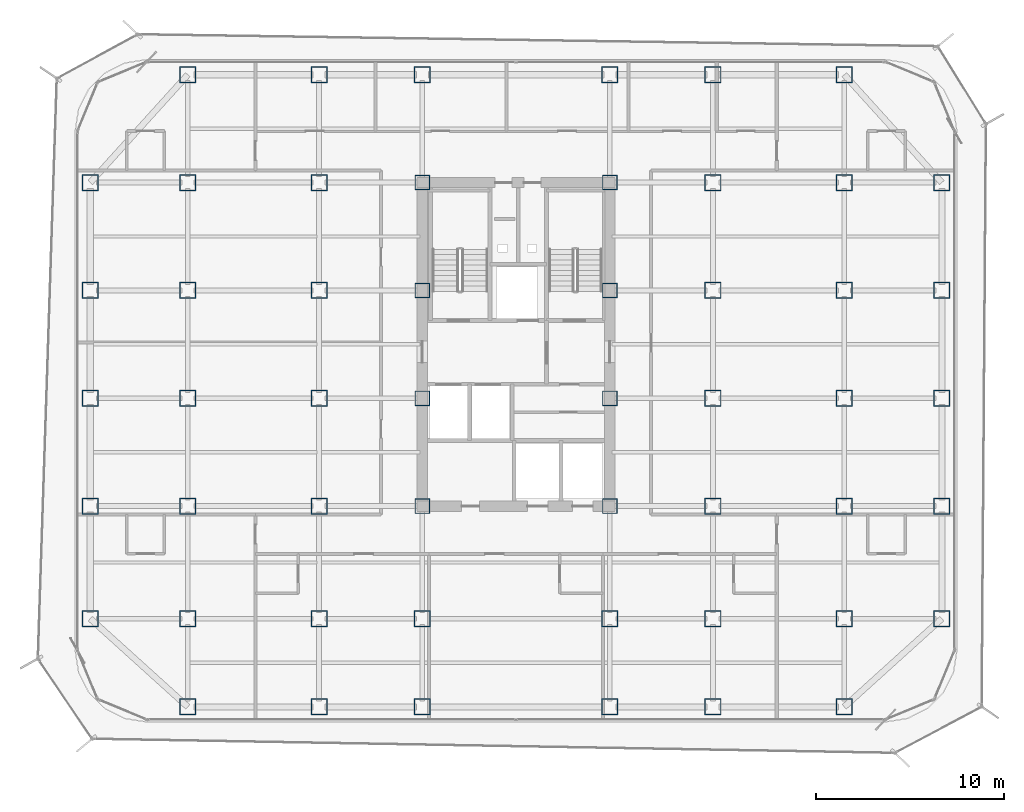
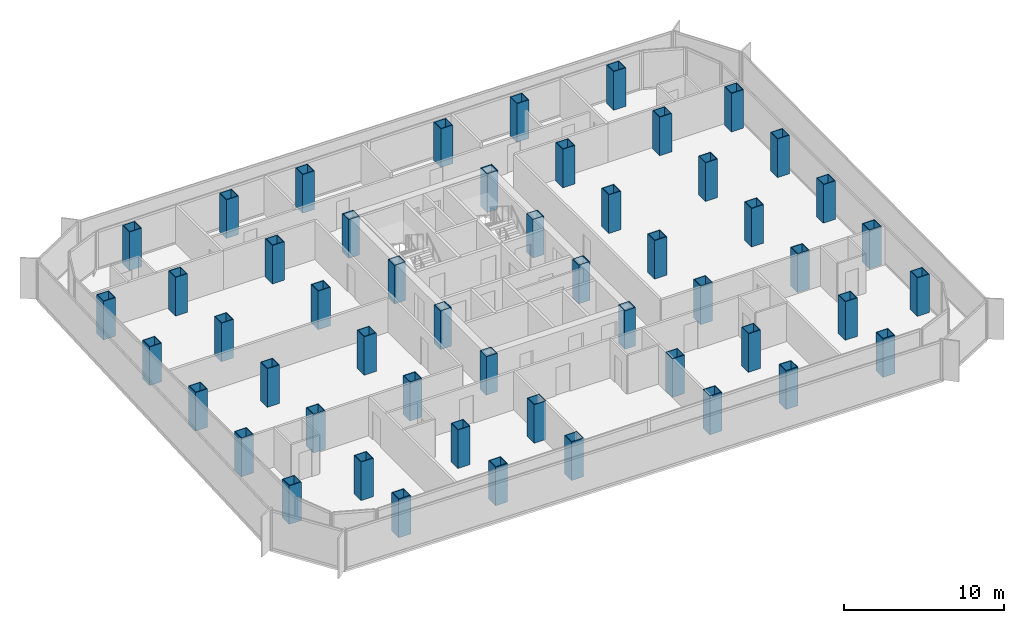
# One storey, part 1 of 21: 52 columns.
"""IFC4 building model written with IfcOpenShell, lengths in metres."""

from ifc_helpers import new_model, si_unit, direction, frame, origin, origin_2d, place, context, subcontext, project, spatial, hollow_rectangle, extrude, source, transform, mapped, material, material_profile, profile_set, type_object, element, save


model = new_model("IFC4")

# Units and contexts
model_context = context("Model", 3, precision=1e-05, world=origin(), true_north=direction((0.0, 1.0)))
body_context = subcontext(model_context, "Body", "Model", "MODEL_VIEW")
ifc_project = project(units=[si_unit("LENGTHUNIT", "METRE"), si_unit("AREAUNIT", "SQUARE_METRE"), si_unit("VOLUMEUNIT", "CUBIC_METRE"), si_unit("PLANEANGLEUNIT", "RADIAN"), si_unit("MASSUNIT", "GRAM", prefix="KILO")], contexts=[model_context])

# Site, building, storey
site_placement = place(None, origin())
site = spatial("IfcSite", under=ifc_project, at=site_placement, CompositionType="ELEMENT")
building_placement = place(site_placement, origin())
building = spatial("IfcBuilding", under=site, at=building_placement, Name="Kolveth Station Tower", CompositionType="ELEMENT")
storey_placement = place(building_placement, frame((0.0, 0.0, 127.89990234375)))
storey = spatial("IfcBuildingStorey", under=building, at=storey_placement, Name="L35", CompositionType="ELEMENT", Elevation=127.89990234375)

# Columns
ifc_material_1 = material(Name="Steel S460", Category="steel")
ifc_material_profile_1 = material_profile(ifc_material_1, hollow_rectangle(XDim=0.8798828125, YDim=0.8798828125, WallThickness=0.050048828125, at=origin_2d()), Name="BOX880x880x50")
ifc_profile_set_1 = profile_set([ifc_material_profile_1], Name="Steel S460")
column_type_1 = type_object("IfcColumnType", Name="Col_C4", PredefinedType="COLUMN", material=ifc_profile_set_1)
shared_shape_1 = source(origin(), body_context, "Body", "SweptSolid", [
    extrude(hollow_rectangle(XDim=0.8798828125, YDim=0.8798828125, WallThickness=0.050048828125, at=origin_2d()), origin(), (0.0, 0.0, 1.0), 2.9501953125),
])
for number, where, z_axis, x_axis, name in (
    (1, (6.0, 0.800048828125, 0.0), (0.0, 0.0, 1.0), (1.0, 0.0, 0.0), "L35 Tower Column S-X60"),
    (2, (6.0, 34.5, 0.0), (0.0, 0.0, 1.0), (1.0, 0.0, 0.0), "L35 Tower Column N-X60"),
    (3, (13.0, 0.800048828125, 0.0), (0.0, 0.0, 1.0), (1.0, 0.0, 0.0), "L35 Tower Column S-X130"),
    (4, (13.0, 34.5, 0.0), (0.0, 0.0, 1.0), (1.0, 0.0, 0.0), "L35 Tower Column N-X130"),
    (5, (18.5, 0.800048828125, 0.0), (0.0, 0.0, 1.0), (1.0, 0.0, 0.0), "L35 Tower Column S-X185"),
    (6, (18.5, 34.5, 0.0), (0.0, 0.0, 1.0), (1.0, 0.0, 0.0), "L35 Tower Column N-X185"),
    (7, (28.5, 0.800048828125, 0.0), (0.0, 0.0, 1.0), (1.0, 0.0, 0.0), "L35 Tower Column S-X285"),
    (8, (28.5, 34.5, 0.0), (0.0, 0.0, 1.0), (1.0, 0.0, 0.0), "L35 Tower Column N-X285"),
    (9, (34.0, 0.800048828125, 0.0), (0.0, 0.0, 1.0), (1.0, 0.0, 0.0), "L35 Tower Column S-X340"),
    (10, (34.0, 34.5, 0.0), (0.0, 0.0, 1.0), (1.0, 0.0, 0.0), "L35 Tower Column N-X340"),
    (11, (41.0, 0.800048828125, 0.0), (0.0, 0.0, 1.0), (1.0, 0.0, 0.0), "L35 Tower Column S-X410"),
    (12, (41.0, 34.5, 0.0), (0.0, 0.0, 1.0), (1.0, 0.0, 0.0), "L35 Tower Column N-X410"),
    (13, (0.800048828125, 5.5, 0.0), (0.0, 0.0, 1.0), (1.0, 0.0, 0.0), "L35 Tower Column W-Y55"),
    (14, (46.199951171875, 5.5, 0.0), (0.0, 0.0, 1.0), (1.0, 0.0, 0.0), "L35 Tower Column E-Y55"),
    (15, (0.800048828125, 11.5, 0.0), (0.0, 0.0, 1.0), (1.0, 0.0, 0.0), "L35 Tower Column W-Y115"),
    (16, (46.199951171875, 11.5, 0.0), (0.0, 0.0, 1.0), (1.0, 0.0, 0.0), "L35 Tower Column E-Y115"),
    (17, (0.800048828125, 17.25, 0.0), (0.0, 0.0, 1.0), (1.0, 0.0, 0.0), "L35 Tower Column W-Y172"),
    (18, (46.199951171875, 17.25, 0.0), (0.0, 0.0, 1.0), (1.0, 0.0, 0.0), "L35 Tower Column E-Y172"),
    (19, (0.800048828125, 23.0, 0.0), (0.0, 0.0, 1.0), (1.0, 0.0, 0.0), "L35 Tower Column W-Y230"),
    (20, (46.199951171875, 23.0, 0.0), (0.0, 0.0, 1.0), (1.0, 0.0, 0.0), "L35 Tower Column E-Y230"),
    (21, (0.800048828125, 28.75, 0.0), (0.0, 0.0, 1.0), (1.0, 0.0, 0.0), "L35 Tower Column W-Y287"),
    (22, (46.199951171875, 28.75, 0.0), (0.0, 0.0, 1.0), (1.0, 0.0, 0.0), "L35 Tower Column E-Y287"),
    (23, (6.0, 5.5, 0.0), (0.0, 0.0, 1.0), (1.0, 0.0, 0.0), "L35 Tower Column G-60-55"),
    (24, (6.0, 11.5, 0.0), (0.0, 0.0, 1.0), (1.0, 0.0, 0.0), "L35 Tower Column G-60-115"),
    (25, (6.0, 17.25, 0.0), (0.0, 0.0, 1.0), (1.0, 0.0, 0.0), "L35 Tower Column G-60-172"),
    (26, (6.0, 23.0, 0.0), (0.0, 0.0, 1.0), (1.0, 0.0, 0.0), "L35 Tower Column G-60-230"),
    (27, (6.0, 28.75, 0.0), (0.0, 0.0, 1.0), (1.0, 0.0, 0.0), "L35 Tower Column G-60-287"),
    (28, (13.0, 5.5, 0.0), (0.0, 0.0, 1.0), (1.0, 0.0, 0.0), "L35 Tower Column G-130-55"),
    (29, (13.0, 11.5, 0.0), (0.0, 0.0, 1.0), (1.0, 0.0, 0.0), "L35 Tower Column G-130-115"),
    (30, (13.0, 17.25, 0.0), (0.0, 0.0, 1.0), (1.0, 0.0, 0.0), "L35 Tower Column G-130-172"),
    (31, (13.0, 23.0, 0.0), (0.0, 0.0, 1.0), (1.0, 0.0, 0.0), "L35 Tower Column G-130-230"),
    (32, (13.0, 28.75, 0.0), (0.0, 0.0, 1.0), (1.0, 0.0, 0.0), "L35 Tower Column G-130-287"),
    (33, (18.5, 5.5, 0.0), (0.0, 0.0, 1.0), (1.0, 0.0, 0.0), "L35 Tower Column G-185-55"),
    (34, (28.5, 5.5, 0.0), (0.0, 0.0, 1.0), (1.0, 0.0, 0.0), "L35 Tower Column G-285-55"),
    (35, (34.0, 5.5, 0.0), (0.0, 0.0, 1.0), (1.0, 0.0, 0.0), "L35 Tower Column G-340-55"),
    (36, (34.0, 11.5, 0.0), (0.0, 0.0, 1.0), (1.0, 0.0, 0.0), "L35 Tower Column G-340-115"),
    (37, (34.0, 17.25, 0.0), (0.0, 0.0, 1.0), (1.0, 0.0, 0.0), "L35 Tower Column G-340-172"),
    (38, (34.0, 23.0, 0.0), (0.0, 0.0, 1.0), (1.0, 0.0, 0.0), "L35 Tower Column G-340-230"),
    (39, (34.0, 28.75, 0.0), (0.0, 0.0, 1.0), (1.0, 0.0, 0.0), "L35 Tower Column G-340-287"),
    (40, (41.0, 5.5, 0.0), (0.0, 0.0, 1.0), (1.0, 0.0, 0.0), "L35 Tower Column G-410-55"),
    (41, (41.0, 11.5, 0.0), (0.0, 0.0, 1.0), (1.0, 0.0, 0.0), "L35 Tower Column G-410-115"),
    (42, (41.0, 17.25, 0.0), (0.0, 0.0, 1.0), (1.0, 0.0, 0.0), "L35 Tower Column G-410-172"),
    (43, (41.0, 23.0, 0.0), (0.0, 0.0, 1.0), (1.0, 0.0, 0.0), "L35 Tower Column G-410-230"),
    (44, (41.0, 28.75, 0.0), (0.0, 0.0, 1.0), (1.0, 0.0, 0.0), "L35 Tower Column G-410-287"),
):
    element("IfcColumn", number, at=place(storey_placement, frame(where, z_axis=z_axis, x_axis=x_axis)), inside=storey, type_object=column_type_1, Name=name, PredefinedType="COLUMN", context=body_context, shape_type="MappedRepresentation", body=[
        mapped(shared_shape_1, transform((0.0, 0.0, 0.0), x_axis=(1.0, 0.0, 0.0), y_axis=(0.0, 1.0, 0.0), z_axis=(0.0, 0.0, 1.0), scale=1.0)),
    ])
ifc_material_2 = material(Name="Steel S355", Category="steel")
ifc_material_profile_2 = material_profile(ifc_material_2, hollow_rectangle(XDim=0.800048828125, YDim=0.800048828125, WallThickness=0.044921875, at=origin_2d()), Name="BOX800x800x45")
ifc_profile_set_2 = profile_set([ifc_material_profile_2], Name="Steel S355")
column_type_2 = type_object("IfcColumnType", Name="Col_C5", PredefinedType="COLUMN", material=ifc_profile_set_2)
shared_shape_2 = source(origin(), body_context, "Body", "SweptSolid", [
    extrude(hollow_rectangle(XDim=0.800048828125, YDim=0.800048828125, WallThickness=0.044921875, at=origin_2d()), origin(), (0.0, 0.0, 1.0), 2.9501953125),
])
for number, where, z_axis, x_axis, name in (
    (45, (18.5, 11.5, 0.0), (0.0, 0.0, 1.0), (1.0, 0.0, 0.0), "L35 Tower Column G-185-115"),
    (46, (18.5, 17.25, 0.0), (0.0, 0.0, 1.0), (1.0, 0.0, 0.0), "L35 Tower Column G-185-172"),
    (47, (18.5, 23.0, 0.0), (0.0, 0.0, 1.0), (1.0, 0.0, 0.0), "L35 Tower Column G-185-230"),
    (48, (18.5, 28.75, 0.0), (0.0, 0.0, 1.0), (1.0, 0.0, 0.0), "L35 Tower Column G-185-287"),
    (49, (28.5, 11.5, 0.0), (0.0, 0.0, 1.0), (1.0, 0.0, 0.0), "L35 Tower Column G-285-115"),
    (50, (28.5, 17.25, 0.0), (0.0, 0.0, 1.0), (1.0, 0.0, 0.0), "L35 Tower Column G-285-172"),
    (51, (28.5, 23.0, 0.0), (0.0, 0.0, 1.0), (1.0, 0.0, 0.0), "L35 Tower Column G-285-230"),
    (52, (28.5, 28.75, 0.0), (0.0, 0.0, 1.0), (1.0, 0.0, 0.0), "L35 Tower Column G-285-287"),
):
    element("IfcColumn", number, at=place(storey_placement, frame(where, z_axis=z_axis, x_axis=x_axis)), inside=storey, type_object=column_type_2, Name=name, PredefinedType="COLUMN", context=body_context, shape_type="MappedRepresentation", body=[
        mapped(shared_shape_2, transform((0.0, 0.0, 0.0), x_axis=(1.0, 0.0, 0.0), y_axis=(0.0, 1.0, 0.0), z_axis=(0.0, 0.0, 1.0), scale=1.0)),
    ])

save(model, "model.ifc")
